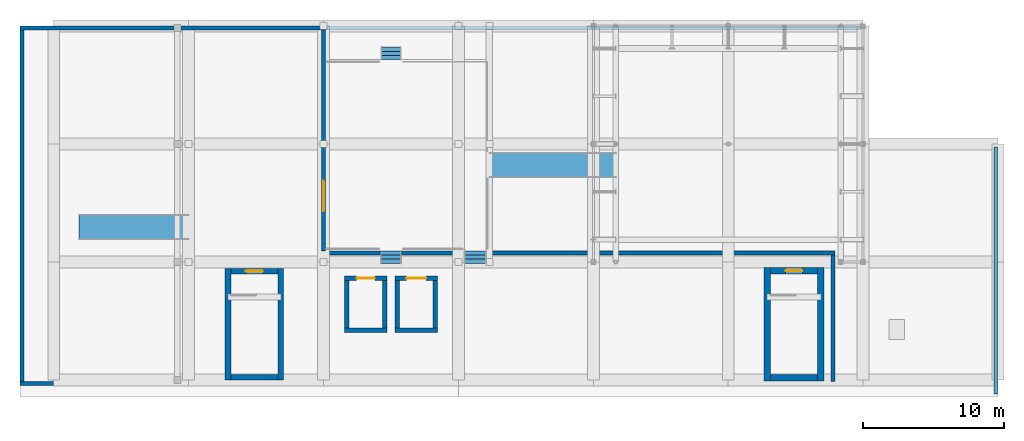
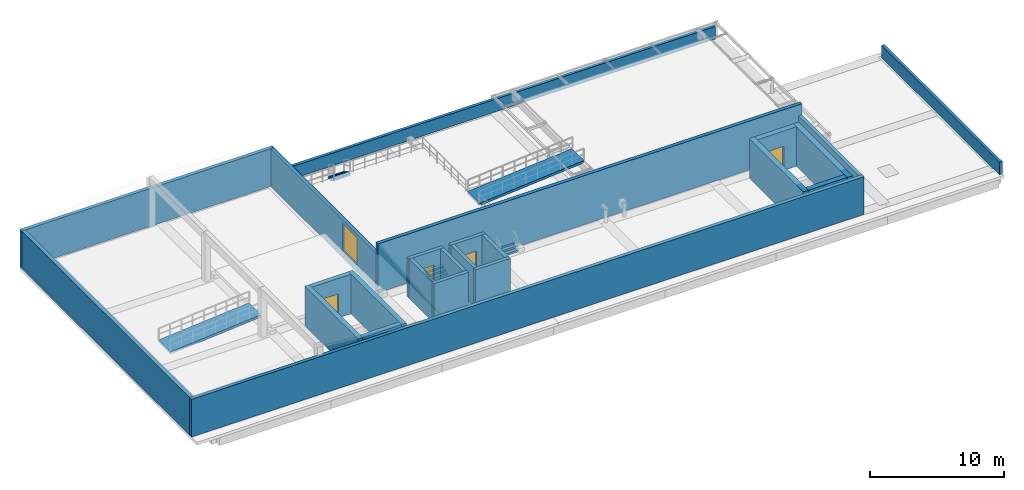
# One storey, part 7 of 8: 24 walls, 5 doors, 3 stair flights, 2 ramp flights, 5 openings, 5 elements without a shape of their own.
"""IFC4 building model written with IfcOpenShell, lengths in metres."""

from ifc_helpers import new_model, si_unit, direction, frame, frame_2d, origin, place, context, subcontext, project, spatial, polyline, rectangle, outline, extrude, material, layer, layer_set, type_object, element, fill, aggregate, save


model = new_model("IFC4")

# Units and contexts
model_context = context("Model", 3, precision=1e-05, world=origin(), true_north=direction((0.0, 1.0)))
body_context = subcontext(model_context, "Body", "Model", "MODEL_VIEW")
ifc_project = project(units=[si_unit("LENGTHUNIT", "METRE"), si_unit("AREAUNIT", "SQUARE_METRE"), si_unit("VOLUMEUNIT", "CUBIC_METRE"), si_unit("PLANEANGLEUNIT", "RADIAN"), si_unit("MASSUNIT", "GRAM", prefix="KILO")], contexts=[model_context])

# Site, building, storey
site_placement = place(None, origin())
site = spatial("IfcSite", under=ifc_project, at=site_placement, CompositionType="ELEMENT")
building_placement = place(site_placement, origin())
building = spatial("IfcBuilding", under=site, at=building_placement, Name="Oolite Switchyard Hospital", CompositionType="ELEMENT")
storey_placement = place(building_placement, frame((0.0, 0.0, 34.60009765625)))
storey = spatial("IfcBuildingStorey", under=building, at=storey_placement, Name="RF", CompositionType="ELEMENT", Elevation=34.60009765625)

# Walls
ifc_material_1 = material(Name="Precast oolitic limestone architectural concrete C40/50", Category="masonry")
ifc_layer_1 = layer(ifc_material_1, 0.25)
ifc_layer_set_1 = layer_set([ifc_layer_1], Name="WAL-PAR-250")
wall_type_1 = type_object("IfcWallType", Name="WAL-PAR-250", PredefinedType="PARAPET", material=ifc_layer_set_1)
wall_1_placement = place(storey_placement, frame((163.39990234375, 134.25, 0.0), z_axis=(0.0, 0.0, 1.0), x_axis=(1.0, 0.0, 0.0)))
element("IfcWall", 1, at=wall_1_placement, inside=storey, type_object=wall_type_1, Name="RF Roof Parapet Wall 12", PredefinedType="PARAPET", context=body_context, shape_type="SweptSolid", body=[
    extrude(rectangle(XDim=38.0, YDim=0.25, at=frame_2d((19.0, 0.0))), origin(), (0.0, 0.0, 1.0), 1.14990234375),
])
wall_2_placement = place(storey_placement, frame((211.050048828125, 108.199951171875, 0.0), z_axis=(0.0, 0.0, 1.0), x_axis=(0.0, 1.0, 0.0)))
element("IfcWall", 2, at=wall_2_placement, inside=storey, type_object=wall_type_1, Name="RF Roof Parapet Wall 13", PredefinedType="PARAPET", context=body_context, shape_type="SweptSolid", body=[
    extrude(rectangle(XDim=17.60009765625, YDim=0.25, at=frame_2d((8.800048828125, 0.0))), origin(), (0.0, 0.0, 1.0), 1.14990234375),
])
ifc_material_2 = material(Name="Concrete C50/60", Category="concrete")
ifc_layer_2 = layer(ifc_material_2, 0.300048828125)
ifc_layer_set_2 = layer_set([ifc_layer_2], Name="WAL-SHR-300")
wall_type_2 = type_object("IfcWallType", Name="WAL-SHR-300", PredefinedType="SHEAR", material=ifc_layer_set_2)
wall_3_placement = place(storey_placement, frame((164.699951171875, 112.75, 0.0), z_axis=(0.0, 0.0, 1.0), x_axis=(1.0, 0.0, 0.0)))
element("IfcWall", 3, at=wall_3_placement, inside=storey, type_object=wall_type_2, Name="RF Lift Shaft Shear Wall EL-01", PredefinedType="SHEAR", context=body_context, shape_type="SweptSolid", body=[
    extrude(rectangle(XDim=3.0, YDim=0.300048828125, at=frame_2d((1.5, 0.0))), origin(), (0.0, 0.0, 1.0), 3.599853515625),
])
wall_4_placement = place(storey_placement, frame((167.550048828125, 112.89990234375, 0.0), z_axis=(0.0, 0.0, 1.0), x_axis=(0.0, 1.0, 0.0)))
element("IfcWall", 4, at=wall_4_placement, inside=storey, type_object=wall_type_2, Name="RF Lift Shaft Shear Wall EL-01", PredefinedType="SHEAR", context=body_context, shape_type="SweptSolid", body=[
    extrude(rectangle(XDim=3.400146484375, YDim=0.300048828125, at=frame_2d((1.7001953125, 0.0))), origin(), (0.0, 0.0, 1.0), 3.599853515625),
])

# Wall, opening, door
wall_5_placement = place(storey_placement, frame((167.699951171875, 116.449951171875, 0.0), z_axis=(0.0, 0.0, 1.0), x_axis=(-1.0, 0.0, 0.0)))
wall_5 = element("IfcWall", 5, at=wall_5_placement, inside=storey, type_object=wall_type_2, Name="RF Lift Shaft Shear Wall EL-01", PredefinedType="SHEAR", context=body_context, shape_type="SweptSolid", body=[
    extrude(rectangle(XDim=3.0, YDim=0.300048828125, at=frame_2d((1.5, 0.0))), origin(), (0.0, 0.0, 1.0), 3.599853515625),
])
opening_1_placement = place(wall_5_placement, frame((0.85009765625, 0.0, 0.0)))
opening_1 = element("IfcOpeningElement", 6, at=opening_1_placement, cuts=wall_5, Name="Opening LD-009", PredefinedType="OPENING", context=body_context, shape_type="SweptSolid", body=[
    extrude(rectangle(XDim=1.300048828125, YDim=2.300048828125, at=frame_2d((0.64990234375, 1.14990234375))), frame((0.0, 0.16015625, 0.0), z_axis=(0.0, -1.0, 0.0), x_axis=(1.0, 0.0, 0.0)), (0.0, 0.0, 1.0), 0.320068359375),
])
ifc_material_3 = material(Name="Brushed stainless steel fire-rated sliding landing door", Category="steel")
door_type_1 = type_object("IfcDoorType", Name="DR-LD-130X230", OperationType="NOTDEFINED", PredefinedType="DOOR", material=ifc_material_3)
door_1_placement = place(opening_1_placement, origin())
door_1 = element("IfcDoor", 7, at=door_1_placement, inside=storey, type_object=door_type_1, Name="RF EL-01 Lift Landing Door LD-009", OperationType="SLIDING_TO_LEFT", OverallHeight=2.300048828125, OverallWidth=1.300048828125, PredefinedType="DOOR", context=body_context, shape_type="SweptSolid", body=[
    extrude(rectangle(XDim=1.300048828125, YDim=2.300048828125, at=frame_2d((0.64990234375, 1.14990234375))), frame((0.0, 0.02490234375, 0.0), z_axis=(0.0, -1.0, 0.0), x_axis=(1.0, 0.0, 0.0)), (0.0, 0.0, 1.0), 0.050048828125),
])
fill(opening_1, door_1)

# Walls
wall_6_placement = place(storey_placement, frame((164.85009765625, 116.300048828125, 0.0), z_axis=(0.0, 0.0, 1.0), x_axis=(0.0, -1.0, 0.0)))
element("IfcWall", 8, at=wall_6_placement, inside=storey, type_object=wall_type_2, Name="RF Lift Shaft Shear Wall EL-01", PredefinedType="SHEAR", context=body_context, shape_type="SweptSolid", body=[
    extrude(rectangle(XDim=3.400146484375, YDim=0.300048828125, at=frame_2d((1.7001953125, 0.0))), origin(), (0.0, 0.0, 1.0), 3.599853515625),
])
wall_7_placement = place(storey_placement, frame((168.300048828125, 112.75, 0.0), z_axis=(0.0, 0.0, 1.0), x_axis=(1.0, 0.0, 0.0)))
element("IfcWall", 9, at=wall_7_placement, inside=storey, type_object=wall_type_2, Name="RF Lift Shaft Shear Wall EL-02", PredefinedType="SHEAR", context=body_context, shape_type="SweptSolid", body=[
    extrude(rectangle(XDim=3.0, YDim=0.300048828125, at=frame_2d((1.5, 0.0))), origin(), (0.0, 0.0, 1.0), 3.599853515625),
])
wall_8_placement = place(storey_placement, frame((171.14990234375, 112.89990234375, 0.0), z_axis=(0.0, 0.0, 1.0), x_axis=(0.0, 1.0, 0.0)))
element("IfcWall", 10, at=wall_8_placement, inside=storey, type_object=wall_type_2, Name="RF Lift Shaft Shear Wall EL-02", PredefinedType="SHEAR", context=body_context, shape_type="SweptSolid", body=[
    extrude(rectangle(XDim=3.400146484375, YDim=0.300048828125, at=frame_2d((1.7001953125, 0.0))), origin(), (0.0, 0.0, 1.0), 3.599853515625),
])

# Wall, opening, door
wall_9_placement = place(storey_placement, frame((171.300048828125, 116.449951171875, 0.0), z_axis=(0.0, 0.0, 1.0), x_axis=(-1.0, 0.0, 0.0)))
wall_9 = element("IfcWall", 11, at=wall_9_placement, inside=storey, type_object=wall_type_2, Name="RF Lift Shaft Shear Wall EL-02", PredefinedType="SHEAR", context=body_context, shape_type="SweptSolid", body=[
    extrude(rectangle(XDim=3.0, YDim=0.300048828125, at=frame_2d((1.5, 0.0))), origin(), (0.0, 0.0, 1.0), 3.599853515625),
])
opening_2_placement = place(wall_9_placement, frame((0.800048828125, 0.0, 0.0)))
opening_2 = element("IfcOpeningElement", 12, at=opening_2_placement, cuts=wall_9, Name="Opening LD-018", PredefinedType="OPENING", context=body_context, shape_type="SweptSolid", body=[
    extrude(rectangle(XDim=1.39990234375, YDim=2.300048828125, at=frame_2d((0.699951171875, 1.14990234375))), frame((0.0, 0.16015625, 0.0), z_axis=(0.0, -1.0, 0.0), x_axis=(1.0, 0.0, 0.0)), (0.0, 0.0, 1.0), 0.320068359375),
])
door_type_2 = type_object("IfcDoorType", Name="DR-LD-140X230", OperationType="NOTDEFINED", PredefinedType="DOOR", material=ifc_material_3)
door_2_placement = place(opening_2_placement, origin())
door_2 = element("IfcDoor", 13, at=door_2_placement, inside=storey, type_object=door_type_2, Name="RF EL-02 Lift Landing Door LD-018", OperationType="SLIDING_TO_RIGHT", OverallHeight=2.300048828125, OverallWidth=1.39990234375, PredefinedType="DOOR", context=body_context, shape_type="SweptSolid", body=[
    extrude(rectangle(XDim=1.39990234375, YDim=2.300048828125, at=frame_2d((0.699951171875, 1.14990234375))), frame((0.0, 0.02490234375, 0.0), z_axis=(0.0, -1.0, 0.0), x_axis=(1.0, 0.0, 0.0)), (0.0, 0.0, 1.0), 0.050048828125),
])
fill(opening_2, door_2)

# Walls
wall_10_placement = place(storey_placement, frame((168.449951171875, 116.300048828125, 0.0), z_axis=(0.0, 0.0, 1.0), x_axis=(0.0, -1.0, 0.0)))
element("IfcWall", 14, at=wall_10_placement, inside=storey, type_object=wall_type_2, Name="RF Lift Shaft Shear Wall EL-02", PredefinedType="SHEAR", context=body_context, shape_type="SweptSolid", body=[
    extrude(rectangle(XDim=3.400146484375, YDim=0.300048828125, at=frame_2d((1.7001953125, 0.0))), origin(), (0.0, 0.0, 1.0), 3.599853515625),
])
ifc_layer_3 = layer(ifc_material_2, 0.39990234375)
ifc_layer_set_3 = layer_set([ifc_layer_3], Name="WAL-SHR-400")
wall_type_3 = type_object("IfcWallType", Name="WAL-SHR-400", PredefinedType="SHEAR", material=ifc_layer_set_3)
wall_11_placement = place(storey_placement, frame((156.39990234375, 117.14990234375, 0.0), z_axis=(0.0, 0.0, 1.0), x_axis=(0.0, -1.0, 0.0)))
element("IfcWall", 15, at=wall_11_placement, inside=storey, type_object=wall_type_3, Name="RF Core Shear Wall ST-03", PredefinedType="SHEAR", context=body_context, shape_type="SweptSolid", body=[
    extrude(rectangle(XDim=7.949951171875, YDim=0.39990234375, at=frame_2d((3.97509765625, 0.0))), origin(), (0.0, 0.0, 1.0), 3.599853515625),
])
wall_12_placement = place(storey_placement, frame((156.60009765625, 109.39990234375, 0.0), z_axis=(0.0, 0.0, 1.0), x_axis=(1.0, 0.0, 0.0)))
element("IfcWall", 16, at=wall_12_placement, inside=storey, type_object=wall_type_3, Name="RF Core Shear Wall ST-03", PredefinedType="SHEAR", context=body_context, shape_type="SweptSolid", body=[
    extrude(rectangle(XDim=3.35986328125, YDim=0.39990234375, at=frame_2d((1.679931640625, 0.0))), origin(), (0.0, 0.0, 1.0), 3.599853515625),
])
wall_13_placement = place(storey_placement, frame((160.159912109375, 109.199951171875, 0.0), z_axis=(0.0, 0.0, 1.0), x_axis=(0.0, 1.0, 0.0)))
element("IfcWall", 17, at=wall_13_placement, inside=storey, type_object=wall_type_3, Name="RF Core Shear Wall ST-03", PredefinedType="SHEAR", context=body_context, shape_type="SweptSolid", body=[
    extrude(rectangle(XDim=7.949951171875, YDim=0.39990234375, at=frame_2d((3.97509765625, 0.0))), origin(), (0.0, 0.0, 1.0), 3.599853515625),
])

# Wall, opening, door
wall_14_placement = place(storey_placement, frame((159.9599609375, 116.949951171875, 0.0), z_axis=(0.0, 0.0, 1.0), x_axis=(-1.0, 0.0, 0.0)))
wall_14 = element("IfcWall", 18, at=wall_14_placement, inside=storey, type_object=wall_type_3, Name="RF Core Shear Wall ST-03", PredefinedType="SHEAR", context=body_context, shape_type="SweptSolid", body=[
    extrude(rectangle(XDim=3.35986328125, YDim=0.39990234375, at=frame_2d((1.679931640625, 0.0))), origin(), (0.0, 0.0, 1.0), 3.599853515625),
])
opening_3_placement = place(wall_14_placement, frame((1.080078125, 0.0, 0.0)))
opening_3 = element("IfcOpeningElement", 19, at=opening_3_placement, cuts=wall_14, Name="Opening SD-023", PredefinedType="OPENING", context=body_context, shape_type="SweptSolid", body=[
    extrude(rectangle(XDim=1.199951171875, YDim=2.199951171875, at=frame_2d((0.60009765625, 1.10009765625))), frame((0.0, 0.2099609375, 0.0), z_axis=(0.0, -1.0, 0.0), x_axis=(1.0, 0.0, 0.0)), (0.0, 0.0, 1.0), 0.419921875),
])
ifc_material_4 = material(Name="Hollow metal fire-rated steel door assembly", Category="steel")
door_type_3 = type_object("IfcDoorType", Name="DR-STR-120X220", OperationType="NOTDEFINED", PredefinedType="DOOR", material=ifc_material_4)
door_3_placement = place(opening_3_placement, origin())
door_3 = element("IfcDoor", 20, at=door_3_placement, inside=storey, type_object=door_type_3, Name="RF ST-03 Exit Stair Door SD-023", OperationType="SINGLE_SWING_RIGHT", OverallHeight=2.199951171875, OverallWidth=1.199951171875, PredefinedType="DOOR", context=body_context, shape_type="SweptSolid", body=[
    extrude(rectangle(XDim=1.199951171875, YDim=2.199951171875, at=frame_2d((0.60009765625, 1.10009765625))), frame((0.0, 0.02490234375, 0.0), z_axis=(0.0, -1.0, 0.0), x_axis=(1.0, 0.0, 0.0)), (0.0, 0.0, 1.0), 0.050048828125),
])
fill(opening_3, door_3)

# Walls
ifc_layer_4 = layer(ifc_material_2, 0.449951171875)
ifc_layer_set_4 = layer_set([ifc_layer_4], Name="WAL-SHR-450")
wall_type_4 = type_object("IfcWallType", Name="WAL-SHR-450", PredefinedType="SHEAR", material=ifc_layer_set_4)
wall_15_placement = place(storey_placement, frame((194.77490234375, 117.199951171875, 0.0), z_axis=(0.0, 0.0, 1.0), x_axis=(0.0, -1.0, 0.0)))
element("IfcWall", 21, at=wall_15_placement, inside=storey, type_object=wall_type_4, Name="RF Core Shear Wall ST-04", PredefinedType="SHEAR", context=body_context, shape_type="SweptSolid", body=[
    extrude(rectangle(XDim=8.050048828125, YDim=0.449951171875, at=frame_2d((4.02490234375, 0.0))), origin(), (0.0, 0.0, 1.0), 3.599853515625),
])
wall_16_placement = place(storey_placement, frame((195.0, 109.375, 0.0), z_axis=(0.0, 0.0, 1.0), x_axis=(1.0, 0.0, 0.0)))
element("IfcWall", 22, at=wall_16_placement, inside=storey, type_object=wall_type_4, Name="RF Core Shear Wall ST-04", PredefinedType="SHEAR", context=body_context, shape_type="SweptSolid", body=[
    extrude(rectangle(XDim=3.360107421875, YDim=0.449951171875, at=frame_2d((1.68017578125, 0.0))), origin(), (0.0, 0.0, 1.0), 3.599853515625),
])
wall_17_placement = place(storey_placement, frame((198.5849609375, 109.14990234375, 0.0), z_axis=(0.0, 0.0, 1.0), x_axis=(0.0, 1.0, 0.0)))
element("IfcWall", 23, at=wall_17_placement, inside=storey, type_object=wall_type_4, Name="RF Core Shear Wall ST-04", PredefinedType="SHEAR", context=body_context, shape_type="SweptSolid", body=[
    extrude(rectangle(XDim=8.050048828125, YDim=0.449951171875, at=frame_2d((4.02490234375, 0.0))), origin(), (0.0, 0.0, 1.0), 3.599853515625),
])

# Wall, opening, door
wall_18_placement = place(storey_placement, frame((198.360107421875, 116.97509765625, 0.0), z_axis=(0.0, 0.0, 1.0), x_axis=(-1.0, 0.0, 0.0)))
wall_18 = element("IfcWall", 24, at=wall_18_placement, inside=storey, type_object=wall_type_4, Name="RF Core Shear Wall ST-04", PredefinedType="SHEAR", context=body_context, shape_type="SweptSolid", body=[
    extrude(rectangle(XDim=3.360107421875, YDim=0.449951171875, at=frame_2d((1.68017578125, 0.0))), origin(), (0.0, 0.0, 1.0), 3.599853515625),
])
opening_4_placement = place(wall_18_placement, frame((1.080078125, 0.0, 0.0)))
opening_4 = element("IfcOpeningElement", 25, at=opening_4_placement, cuts=wall_18, Name="Opening SD-032", PredefinedType="OPENING", context=body_context, shape_type="SweptSolid", body=[
    extrude(rectangle(XDim=1.199951171875, YDim=2.199951171875, at=frame_2d((0.60009765625, 1.10009765625))), frame((0.0, 0.23486328125, 0.0), z_axis=(0.0, -1.0, 0.0), x_axis=(1.0, 0.0, 0.0)), (0.0, 0.0, 1.0), 0.469970703125),
])
door_4_placement = place(opening_4_placement, origin())
door_4 = element("IfcDoor", 26, at=door_4_placement, inside=storey, type_object=door_type_3, Name="RF ST-04 Exit Stair Door SD-032", OperationType="SINGLE_SWING_LEFT", OverallHeight=2.199951171875, OverallWidth=1.199951171875, PredefinedType="DOOR", context=body_context, shape_type="SweptSolid", body=[
    extrude(rectangle(XDim=1.199951171875, YDim=2.199951171875, at=frame_2d((0.60009765625, 1.10009765625))), frame((0.0, 0.02490234375, 0.0), z_axis=(0.0, -1.0, 0.0), x_axis=(1.0, 0.0, 0.0)), (0.0, 0.0, 1.0), 0.050048828125),
])
fill(opening_4, door_4)

# Walls
ifc_layer_5 = layer(ifc_material_2, 0.300048828125)
ifc_layer_set_5 = layer_set([ifc_layer_5], Name="WAL-SHR-EXT-300")
wall_type_5 = type_object("IfcWallType", Name="WAL-SHR-EXT-300", PredefinedType="SHEAR", material=ifc_layer_set_5)
wall_19_placement = place(storey_placement, frame((141.60009765625, 108.949951171875, 0.0), z_axis=(0.0, 0.0, 1.0), x_axis=(1.0, 0.0, 0.0)))
element("IfcWall", 27, at=wall_19_placement, inside=storey, type_object=wall_type_5, Name="RF Headhouse Shear Wall 1", PredefinedType="SHEAR", context=body_context, shape_type="SweptSolid", body=[
    extrude(rectangle(XDim=58.0, YDim=0.300048828125, at=frame_2d((29.0, 0.0))), origin(), (0.0, 0.0, 1.0), 3.449951171875),
])
wall_20_placement = place(storey_placement, frame((199.449951171875, 109.10009765625, 0.0), z_axis=(0.0, 0.0, 1.0), x_axis=(0.0, 1.0, 0.0)))
element("IfcWall", 28, at=wall_20_placement, inside=storey, type_object=wall_type_5, Name="RF Headhouse Shear Wall 2", PredefinedType="SHEAR", context=body_context, shape_type="SweptSolid", body=[
    extrude(rectangle(XDim=9.0, YDim=0.300048828125, at=frame_2d((4.5, 0.0))), origin(), (0.0, 0.0, 1.0), 3.449951171875),
])
wall_21_placement = place(storey_placement, frame((199.60009765625, 118.25, 0.0), z_axis=(0.0, 0.0, 1.0), x_axis=(-1.0, 0.0, 0.0)))
element("IfcWall", 29, at=wall_21_placement, inside=storey, type_object=wall_type_5, Name="RF Headhouse Shear Wall 3", PredefinedType="SHEAR", context=body_context, shape_type="SweptSolid", body=[
    extrude(rectangle(XDim=36.550048828125, YDim=0.300048828125, at=frame_2d((18.27490234375, 0.0))), origin(), (0.0, 0.0, 1.0), 4.449951171875),
])

# Wall, opening, door
wall_22_placement = place(storey_placement, frame((163.199951171875, 118.39990234375, 0.0), z_axis=(0.0, 0.0, 1.0), x_axis=(0.0, 1.0, 0.0)))
wall_22 = element("IfcWall", 30, at=wall_22_placement, inside=storey, type_object=wall_type_5, Name="RF Headhouse Shear Wall 4", PredefinedType="SHEAR", context=body_context, shape_type="SweptSolid", body=[
    extrude(rectangle(XDim=15.7001953125, YDim=0.300048828125, at=frame_2d((7.85009765625, 0.0))), origin(), (0.0, 0.0, 1.0), 3.449951171875),
])
opening_5_placement = place(wall_22_placement, frame((2.800048828125, 0.0, 0.64990234375)))
opening_5 = element("IfcOpeningElement", 31, at=opening_5_placement, cuts=wall_22, Name="Opening EX-27", PredefinedType="OPENING", context=body_context, shape_type="SweptSolid", body=[
    extrude(rectangle(XDim=2.199951171875, YDim=2.5, at=frame_2d((1.10009765625, 1.25))), frame((0.0, 0.16015625, 0.0), z_axis=(0.0, -1.0, 0.0), x_axis=(1.0, 0.0, 0.0)), (0.0, 0.0, 1.0), 0.320068359375),
])
ifc_material_5 = material(Name="Thermally broken aluminum frame with laminated impact glazing", Category="aluminium")
door_type_4 = type_object("IfcDoorType", Name="DR-EXT-220X250", OperationType="NOTDEFINED", PredefinedType="DOOR", material=ifc_material_5)
door_5_placement = place(opening_5_placement, origin())
door_5 = element("IfcDoor", 32, at=door_5_placement, inside=storey, type_object=door_type_4, Name="RF Trauma Helipad Staging Apron Door EX-27", OperationType="DOUBLE_DOOR_SINGLE_SWING", OverallHeight=2.5, OverallWidth=2.199951171875, PredefinedType="DOOR", context=body_context, shape_type="SweptSolid", body=[
    extrude(rectangle(XDim=2.199951171875, YDim=2.5, at=frame_2d((1.10009765625, 1.25))), frame((0.0, 0.02490234375, 0.0), z_axis=(0.0, -1.0, 0.0), x_axis=(1.0, 0.0, 0.0)), (0.0, 0.0, 1.0), 0.050048828125),
])
fill(opening_5, door_5)

# Walls
wall_23_placement = place(storey_placement, frame((163.35009765625, 134.25, 0.0), z_axis=(0.0, 0.0, 1.0), x_axis=(-1.0, 0.0, 0.0)))
element("IfcWall", 33, at=wall_23_placement, inside=storey, type_object=wall_type_5, Name="RF Headhouse Shear Wall 5", PredefinedType="SHEAR", context=body_context, shape_type="SweptSolid", body=[
    extrude(rectangle(XDim=21.75, YDim=0.300048828125, at=frame_2d((10.875, 0.0))), origin(), (0.0, 0.0, 1.0), 3.449951171875),
])
wall_24_placement = place(storey_placement, frame((141.75, 134.10009765625, 0.0), z_axis=(0.0, 0.0, 1.0), x_axis=(0.0, -1.0, 0.0)))
element("IfcWall", 34, at=wall_24_placement, inside=storey, type_object=wall_type_5, Name="RF Headhouse Shear Wall 6", PredefinedType="SHEAR", context=body_context, shape_type="SweptSolid", body=[
    extrude(rectangle(XDim=25.0, YDim=0.300048828125, at=frame_2d((12.5, 0.0))), origin(), (0.0, 0.0, 1.0), 3.449951171875),
])

# Stair, stair flight
ifc_material_6 = material(Name="Concrete C40/50", Category="concrete")
stair_type_1 = type_object("IfcStairType", Name="STR-APR-145-R4", PredefinedType="STRAIGHT_RUN_STAIR", material=ifc_material_6)
stair_1_placement = place(storey_placement, origin())
stair_1 = element("IfcStair", 35, at=stair_1_placement, inside=storey, type_object=stair_type_1, Name="RF Staging Apron Stair ST-M05", PredefinedType="STRAIGHT_RUN_STAIR")
stair_flight_type_1 = type_object("IfcStairFlightType", Name="FLT-APR-145-R4", PredefinedType="STRAIGHT", material=ifc_material_6)
stair_flight_1_placement = place(storey_placement, frame((168.0, 132.89990234375, 0.0), z_axis=(0.0, 0.0, 1.0), x_axis=(0.0, -1.0, 0.0)))
stair_flight_1 = element("IfcStairFlight", 36, at=stair_flight_1_placement, type_object=stair_flight_type_1, Name="ST-M05 flight 1", NumberOfRisers=4, NumberOfTreads=3, PredefinedType="STRAIGHT", RiserHeight=0.1625, TreadLength=0.3, context=body_context, shape_type="SweptSolid", body=[
    extrude(outline(polyline([(0.0, 0.0), (0.0, 0.16259765625), (0.300048828125, 0.16259765625), (0.300048828125, 0.324951171875), (0.60009765625, 0.324951171875), (0.60009765625, 0.487548828125), (0.89990234375, 0.487548828125), (0.89990234375, 0.64990234375), (0.89990234375, 0.282958984375), (0.377685546875, 0.0), (0.0, 0.0)])), frame((0.0, 0.72509765625, 0.0), z_axis=(0.0, -1.0, 0.0), x_axis=(1.0, 0.0, 0.0)), (0.0, 0.0, 1.0), 1.449951171875),
])
aggregate(stair_1, [stair_flight_1])

stair_type_2 = type_object("IfcStairType", Name="STR-APR-150-R4", PredefinedType="STRAIGHT_RUN_STAIR", material=ifc_material_6)
stair_2_placement = place(storey_placement, origin())
stair_2 = element("IfcStair", 37, at=stair_2_placement, inside=storey, type_object=stair_type_2, Name="RF Staging Apron Stair ST-M03", PredefinedType="STRAIGHT_RUN_STAIR")
stair_flight_type_2 = type_object("IfcStairFlightType", Name="FLT-APR-150-R4", PredefinedType="STRAIGHT", material=ifc_material_6)
stair_flight_2_placement = place(storey_placement, frame((168.0, 117.5, 0.0), z_axis=(0.0, 0.0, 1.0), x_axis=(0.0, 1.0, 0.0)))
stair_flight_2 = element("IfcStairFlight", 38, at=stair_flight_2_placement, type_object=stair_flight_type_2, Name="ST-M03 flight 1", NumberOfRisers=4, NumberOfTreads=3, PredefinedType="STRAIGHT", RiserHeight=0.1625, TreadLength=0.3, context=body_context, shape_type="SweptSolid", body=[
    extrude(outline(polyline([(0.0, 0.0), (0.0, 0.16259765625), (0.300048828125, 0.16259765625), (0.300048828125, 0.324951171875), (0.60009765625, 0.324951171875), (0.60009765625, 0.487548828125), (0.89990234375, 0.487548828125), (0.89990234375, 0.64990234375), (0.89990234375, 0.282958984375), (0.377685546875, 0.0), (0.0, 0.0)])), frame((0.0, 0.75, 0.0), z_axis=(0.0, -1.0, 0.0), x_axis=(1.0, 0.0, 0.0)), (0.0, 0.0, 1.0), 1.5),
])
aggregate(stair_2, [stair_flight_2])

stair_type_3 = type_object("IfcStairType", Name="STR-APR-160-R4", PredefinedType="STRAIGHT_RUN_STAIR", material=ifc_material_6)
stair_3_placement = place(storey_placement, origin())
stair_3 = element("IfcStair", 39, at=stair_3_placement, inside=storey, type_object=stair_type_3, Name="RF Staging Apron Stair ST-M04", PredefinedType="STRAIGHT_RUN_STAIR")
stair_flight_type_3 = type_object("IfcStairFlightType", Name="FLT-APR-160-R4", PredefinedType="STRAIGHT", material=ifc_material_6)
stair_flight_3_placement = place(storey_placement, frame((174.0, 117.5, 0.0), z_axis=(0.0, 0.0, 1.0), x_axis=(0.0, 1.0, 0.0)))
stair_flight_3 = element("IfcStairFlight", 40, at=stair_flight_3_placement, type_object=stair_flight_type_3, Name="ST-M04 flight 1", NumberOfRisers=4, NumberOfTreads=3, PredefinedType="STRAIGHT", RiserHeight=0.1625, TreadLength=0.3, context=body_context, shape_type="SweptSolid", body=[
    extrude(outline(polyline([(0.0, 0.0), (0.0, 0.16259765625), (0.300048828125, 0.16259765625), (0.300048828125, 0.324951171875), (0.60009765625, 0.324951171875), (0.60009765625, 0.487548828125), (0.89990234375, 0.487548828125), (0.89990234375, 0.64990234375), (0.89990234375, 0.282958984375), (0.377685546875, 0.0), (0.0, 0.0)])), frame((0.0, 0.800048828125, 0.0), z_axis=(0.0, -1.0, 0.0), x_axis=(1.0, 0.0, 0.0)), (0.0, 0.0, 1.0), 1.60009765625),
])
aggregate(stair_3, [stair_flight_3])

# Ramp, ramp flight
ramp_type = type_object("IfcRampType", Name="RMP-GURNEY-180", PredefinedType="STRAIGHT_RUN_RAMP", material=ifc_material_6)
ramp_1_placement = place(storey_placement, origin())
ramp_1 = element("IfcRamp", 41, at=ramp_1_placement, inside=storey, type_object=ramp_type, Name="RF Helipad Gurney Access Ramp", PredefinedType="STRAIGHT_RUN_RAMP")
ramp_flight_type = type_object("IfcRampFlightType", Name="RMPF-GURNEY-180", PredefinedType="STRAIGHT", material=ifc_material_6)
ramp_flight_1_placement = place(storey_placement, frame((175.0, 124.5, 0.64990234375), z_axis=(0.0, 0.0, 1.0), x_axis=(1.0, 0.0, 0.0)))
ramp_flight_1 = element("IfcRampFlight", 42, at=ramp_flight_1_placement, type_object=ramp_flight_type, Name="RF Helipad Gurney Access Ramp Flight", PredefinedType="STRAIGHT", context=body_context, shape_type="SweptSolid", body=[
    extrude(outline(polyline([(0.0, 0.0), (0.0, -0.219970703125), (9.0, 0.530029296875), (9.0, 0.75), (0.0, 0.0)])), frame((0.0, 0.89990234375, 0.0), z_axis=(0.0, -1.0, 0.0), x_axis=(1.0, 0.0, 0.0)), (0.0, 0.0, 1.0), 1.800048828125),
])
aggregate(ramp_1, [ramp_flight_1])

ramp_2_placement = place(storey_placement, origin())
ramp_2 = element("IfcRamp", 43, at=ramp_2_placement, inside=storey, type_object=ramp_type, Name="RF Trauma Vestibule Gurney Ramp", PredefinedType="STRAIGHT_RUN_RAMP")
ramp_flight_2_placement = place(storey_placement, frame((145.800048828125, 120.10009765625, 0.0), z_axis=(0.0, 0.0, 1.0), x_axis=(1.0, 0.0, 0.0)))
ramp_flight_2 = element("IfcRampFlight", 44, at=ramp_flight_2_placement, type_object=ramp_flight_type, Name="RF Trauma Vestibule Gurney Ramp Flight", PredefinedType="STRAIGHT", context=body_context, shape_type="SweptSolid", body=[
    extrude(outline(polyline([(0.0, 0.0), (0.0, -0.219970703125), (7.800048828125, 0.429931640625), (7.800048828125, 0.64990234375), (0.0, 0.0)])), frame((0.0, 0.89990234375, 0.0), z_axis=(0.0, -1.0, 0.0), x_axis=(1.0, 0.0, 0.0)), (0.0, 0.0, 1.0), 1.800048828125),
])
aggregate(ramp_2, [ramp_flight_2])

save(model, "model.ifc")
